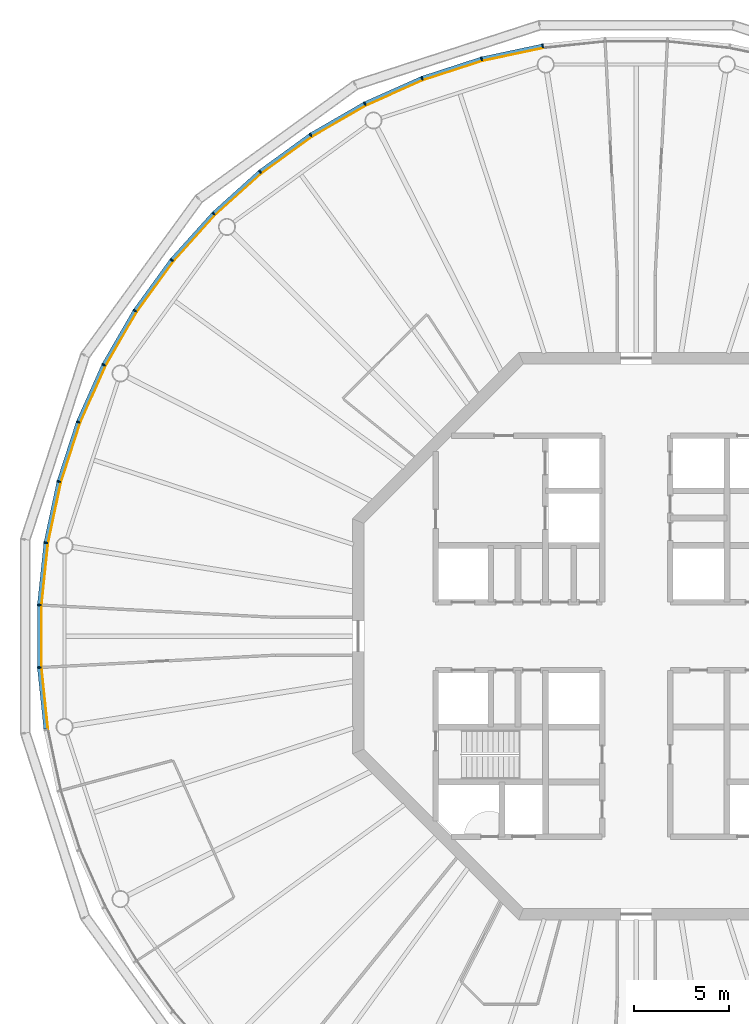
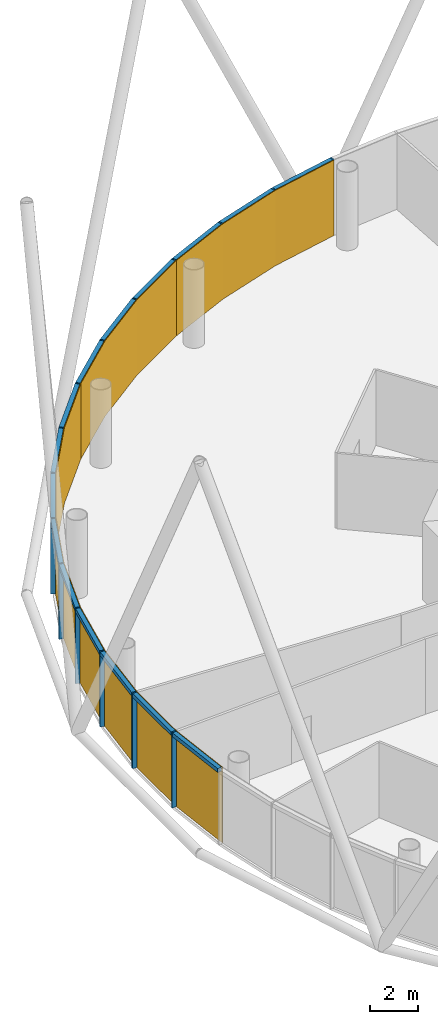
# One storey, part 10 of 13: 30 members, 5 curtain walls.
"""IFC4 building model written with IfcOpenShell, lengths in metres."""

from ifc_helpers import new_model, si_unit, direction, frame, origin, origin_2d, place, context, subcontext, project, spatial, polyline, rectangle, outline, extrude, material, layer, layer_set, material_profile, profile_set, type_object, element, aggregate, save


model = new_model("IFC4")

# Units and contexts
model_context = context("Model", 3, precision=1e-05, world=origin(), true_north=direction((0.0, 1.0)))
body_context = subcontext(model_context, "Body", "Model", "MODEL_VIEW")
ifc_project = project(units=[si_unit("LENGTHUNIT", "METRE"), si_unit("AREAUNIT", "SQUARE_METRE"), si_unit("VOLUMEUNIT", "CUBIC_METRE"), si_unit("PLANEANGLEUNIT", "RADIAN"), si_unit("MASSUNIT", "GRAM", prefix="KILO")], contexts=[model_context])

# Member
ifc_material_1 = material(Name="Anodised aluminium", Category="aluminium")
ifc_material_profile_1 = material_profile(ifc_material_1, rectangle(XDim=0.070068359375, YDim=0.205078125, at=origin_2d()), Name="Mullion 70 x 205 mm anodised aluminium")
ifc_profile_set_1 = profile_set([ifc_material_profile_1], Name="Anodised aluminium")
member_type_1 = type_object("IfcMemberType", Name="Mullion 70 x 205 mm anodised aluminium", PredefinedType="MULLION", material=ifc_profile_set_1)
site_placement = place(None, origin())
building_placement = place(site_placement, origin())
storey_placement = place(building_placement, frame((0.0, 0.0, 372.0)))
member_1_placement = place(storey_placement, frame((85.056396484375, 111.21337890625, 0.0), z_axis=(0.0, 0.0, 1.0), x_axis=(-0.987688340595, -0.15643446504, 0.0)))
member_1 = element("IfcMember", 1, at=member_1_placement, type_object=member_type_1, Name="MULLION L86-15", PredefinedType="MULLION", context=body_context, shape_type="SweptSolid", body=[
    extrude(rectangle(XDim=0.070068359375, YDim=0.205078125, at=origin_2d()), origin(), (0.0, 0.0, 1.0), 3.85009765625),
])

member_2_placement = place(storey_placement, frame((81.820556640625, 110.525634765625, 0.0), z_axis=(0.0, 0.0, 1.0), x_axis=(-0.965925826289, -0.258819045103, 0.0)))
member_2 = element("IfcMember", 2, at=member_2_placement, type_object=member_type_1, Name="MULLION L86-16", PredefinedType="MULLION", context=body_context, shape_type="SweptSolid", body=[
    extrude(rectangle(XDim=0.070068359375, YDim=0.205078125, at=origin_2d()), origin(), (0.0, 0.0, 1.0), 3.85009765625),
])

member_3_placement = place(storey_placement, frame((78.674560546875, 109.50341796875, 0.0), z_axis=(0.0, 0.0, 1.0), x_axis=(-0.933580426497, -0.358367949545, 0.0)))
member_3 = element("IfcMember", 3, at=member_3_placement, type_object=member_type_1, Name="MULLION L86-17", PredefinedType="MULLION", context=body_context, shape_type="SweptSolid", body=[
    extrude(rectangle(XDim=0.070068359375, YDim=0.205078125, at=origin_2d()), origin(), (0.0, 0.0, 1.0), 3.85009765625),
])

member_4_placement = place(storey_placement, frame((75.65283203125, 108.157958984375, 0.0), z_axis=(0.0, 0.0, 1.0), x_axis=(-0.891006524188, -0.45399049974, 0.0)))
member_4 = element("IfcMember", 4, at=member_4_placement, type_object=member_type_1, Name="MULLION L86-18", PredefinedType="MULLION", context=body_context, shape_type="SweptSolid", body=[
    extrude(rectangle(XDim=0.070068359375, YDim=0.205078125, at=origin_2d()), origin(), (0.0, 0.0, 1.0), 3.85009765625),
])

member_5_placement = place(storey_placement, frame((72.7880859375, 106.504150390625, 0.0), z_axis=(0.0, 0.0, 1.0), x_axis=(-0.838670567945, -0.544639035015, 0.0)))
member_5 = element("IfcMember", 5, at=member_5_placement, type_object=member_type_1, Name="MULLION L86-19", PredefinedType="MULLION", context=body_context, shape_type="SweptSolid", body=[
    extrude(rectangle(XDim=0.070068359375, YDim=0.205078125, at=origin_2d()), origin(), (0.0, 0.0, 1.0), 3.85009765625),
])

member_6_placement = place(storey_placement, frame((70.11181640625, 104.559814453125, 0.0), z_axis=(0.0, 0.0, 1.0), x_axis=(-0.777145961457, -0.62932039105, 0.0)))
member_6 = element("IfcMember", 6, at=member_6_placement, type_object=member_type_1, Name="MULLION L86-20", PredefinedType="MULLION", context=body_context, shape_type="SweptSolid", body=[
    extrude(rectangle(XDim=0.070068359375, YDim=0.205078125, at=origin_2d()), origin(), (0.0, 0.0, 1.0), 3.85009765625),
])

member_7_placement = place(storey_placement, frame((67.653564453125, 102.346435546875, 0.0), z_axis=(0.0, 0.0, 1.0), x_axis=(-0.707106781187, -0.707106781187, 0.0)))
member_7 = element("IfcMember", 7, at=member_7_placement, type_object=member_type_1, Name="MULLION L86-21", PredefinedType="MULLION", context=body_context, shape_type="SweptSolid", body=[
    extrude(rectangle(XDim=0.070068359375, YDim=0.205078125, at=origin_2d()), origin(), (0.0, 0.0, 1.0), 3.85009765625),
])

member_8_placement = place(storey_placement, frame((65.440185546875, 99.88818359375, 0.0), z_axis=(0.0, 0.0, 1.0), x_axis=(-0.62932039105, -0.777145961457, 0.0)))
member_8 = element("IfcMember", 8, at=member_8_placement, type_object=member_type_1, Name="MULLION L86-22", PredefinedType="MULLION", context=body_context, shape_type="SweptSolid", body=[
    extrude(rectangle(XDim=0.070068359375, YDim=0.205078125, at=origin_2d()), origin(), (0.0, 0.0, 1.0), 3.85009765625),
])

member_9_placement = place(storey_placement, frame((63.495849609375, 97.2119140625, 0.0), z_axis=(0.0, 0.0, 1.0), x_axis=(-0.544639035015, -0.838670567945, 0.0)))
member_9 = element("IfcMember", 9, at=member_9_placement, type_object=member_type_1, Name="MULLION L86-23", PredefinedType="MULLION", context=body_context, shape_type="SweptSolid", body=[
    extrude(rectangle(XDim=0.070068359375, YDim=0.205078125, at=origin_2d()), origin(), (0.0, 0.0, 1.0), 3.85009765625),
])

member_10_placement = place(storey_placement, frame((61.842041015625, 94.34716796875, 0.0), z_axis=(0.0, 0.0, 1.0), x_axis=(-0.45399049974, -0.891006524188, 0.0)))
member_10 = element("IfcMember", 10, at=member_10_placement, type_object=member_type_1, Name="MULLION L86-24", PredefinedType="MULLION", context=body_context, shape_type="SweptSolid", body=[
    extrude(rectangle(XDim=0.070068359375, YDim=0.205078125, at=origin_2d()), origin(), (0.0, 0.0, 1.0), 3.85009765625),
])

member_11_placement = place(storey_placement, frame((60.49658203125, 91.325439453125, 0.0), z_axis=(0.0, 0.0, 1.0), x_axis=(-0.358367949545, -0.933580426497, 0.0)))
member_11 = element("IfcMember", 11, at=member_11_placement, type_object=member_type_1, Name="MULLION L86-25", PredefinedType="MULLION", context=body_context, shape_type="SweptSolid", body=[
    extrude(rectangle(XDim=0.070068359375, YDim=0.205078125, at=origin_2d()), origin(), (0.0, 0.0, 1.0), 3.85009765625),
])

member_12_placement = place(storey_placement, frame((59.474365234375, 88.179443359375, 0.0), z_axis=(0.0, 0.0, 1.0), x_axis=(-0.258819045103, -0.965925826289, 0.0)))
member_12 = element("IfcMember", 12, at=member_12_placement, type_object=member_type_1, Name="MULLION L86-26", PredefinedType="MULLION", context=body_context, shape_type="SweptSolid", body=[
    extrude(rectangle(XDim=0.070068359375, YDim=0.205078125, at=origin_2d()), origin(), (0.0, 0.0, 1.0), 3.85009765625),
])

member_13_placement = place(storey_placement, frame((58.78662109375, 84.943603515625, 0.0), z_axis=(0.0, 0.0, 1.0), x_axis=(-0.15643446504, -0.987688340595, 0.0)))
member_13 = element("IfcMember", 13, at=member_13_placement, type_object=member_type_1, Name="MULLION L86-27", PredefinedType="MULLION", context=body_context, shape_type="SweptSolid", body=[
    extrude(rectangle(XDim=0.070068359375, YDim=0.205078125, at=origin_2d()), origin(), (0.0, 0.0, 1.0), 3.85009765625),
])

member_14_placement = place(storey_placement, frame((58.44091796875, 81.654052734375, 0.0), z_axis=(0.0, 0.0, 1.0), x_axis=(-0.052335956243, -0.998629534755, 0.0)))
member_14 = element("IfcMember", 14, at=member_14_placement, type_object=member_type_1, Name="MULLION L86-28", PredefinedType="MULLION", context=body_context, shape_type="SweptSolid", body=[
    extrude(rectangle(XDim=0.070068359375, YDim=0.205078125, at=origin_2d()), origin(), (0.0, 0.0, 1.0), 3.85009765625),
])

member_15_placement = place(storey_placement, frame((58.44091796875, 78.345947265625, 0.0), z_axis=(0.0, 0.0, 1.0), x_axis=(0.052335956243, -0.998629534755, 0.0)))
member_15 = element("IfcMember", 15, at=member_15_placement, type_object=member_type_1, Name="MULLION L86-29", PredefinedType="MULLION", context=body_context, shape_type="SweptSolid", body=[
    extrude(rectangle(XDim=0.070068359375, YDim=0.205078125, at=origin_2d()), origin(), (0.0, 0.0, 1.0), 3.85009765625),
])

ifc_material_2 = material(Name="Anodised aluminium", Category="aluminium")
ifc_material_profile_2 = material_profile(ifc_material_2, rectangle(XDim=0.205078125, YDim=0.195068359375, at=origin_2d()), Name="Transom 195 x 205 mm anodised aluminium")
ifc_profile_set_2 = profile_set([ifc_material_profile_2], Name="Anodised aluminium")
member_type_2 = type_object("IfcMemberType", Name="Transom 195 x 205 mm anodised aluminium", PredefinedType="USERDEFINED", material=ifc_profile_set_2)
member_16_placement = place(storey_placement, frame((85.016845703125, 111.205078125, 3.75244140625), z_axis=(-0.978153082647, -0.207885898771, 0.0), x_axis=(0.207885898771, -0.978153082647, 0.0)))
member_16 = element("IfcMember", 16, at=member_16_placement, type_object=member_type_2, Name="TRANSOM L86-15", ObjectType="TRANSOM", PredefinedType="USERDEFINED", context=body_context, shape_type="SweptSolid", body=[
    extrude(rectangle(XDim=0.205078125, YDim=0.195068359375, at=origin_2d()), origin(), (0.0, 0.0, 1.0), 3.227294921875),
])

member_17_placement = place(storey_placement, frame((81.7822265625, 110.513427734375, 3.75244140625), z_axis=(-0.951046855117, -0.309046726844, 0.0), x_axis=(0.309046726844, -0.951046855117, 0.0)))
member_17 = element("IfcMember", 17, at=member_17_placement, type_object=member_type_2, Name="TRANSOM L86-16", ObjectType="TRANSOM", PredefinedType="USERDEFINED", context=body_context, shape_type="SweptSolid", body=[
    extrude(rectangle(XDim=0.205078125, YDim=0.195068359375, at=origin_2d()), origin(), (0.0, 0.0, 1.0), 3.22705078125),
])

member_18_placement = place(storey_placement, frame((78.6376953125, 109.4873046875, 3.75244140625), z_axis=(-0.913521178731, -0.406791170024, 0.0), x_axis=(0.406791170024, -0.913521178731, 0.0)))
member_18 = element("IfcMember", 18, at=member_18_placement, type_object=member_type_2, Name="TRANSOM L86-17", ObjectType="TRANSOM", PredefinedType="USERDEFINED", context=body_context, shape_type="SweptSolid", body=[
    extrude(rectangle(XDim=0.205078125, YDim=0.195068359375, at=origin_2d()), origin(), (0.0, 0.0, 1.0), 3.22705078125),
])

member_19_placement = place(storey_placement, frame((75.61767578125, 108.137939453125, 3.75244140625), z_axis=(-0.866023062494, -0.500004055213, 0.0), x_axis=(0.500004055213, -0.866023062494, 0.0)))
member_19 = element("IfcMember", 19, at=member_19_placement, type_object=member_type_2, Name="TRANSOM L86-18", ObjectType="TRANSOM", PredefinedType="USERDEFINED", context=body_context, shape_type="SweptSolid", body=[
    extrude(rectangle(XDim=0.205078125, YDim=0.195068359375, at=origin_2d()), origin(), (0.0, 0.0, 1.0), 3.22705078125),
])

member_20_placement = place(storey_placement, frame((72.75537109375, 106.48046875, 3.75244140625), z_axis=(-0.809004252048, -0.587802790201, 0.0), x_axis=(0.587802790201, -0.809004252048, 0.0)))
member_20 = element("IfcMember", 20, at=member_20_placement, type_object=member_type_2, Name="TRANSOM L86-19", ObjectType="TRANSOM", PredefinedType="USERDEFINED", context=body_context, shape_type="SweptSolid", body=[
    extrude(rectangle(XDim=0.205078125, YDim=0.195068359375, at=origin_2d()), origin(), (0.0, 0.0, 1.0), 3.227294921875),
])

member_21_placement = place(storey_placement, frame((70.081787109375, 104.532958984375, 3.75244140625), z_axis=(-0.743132370743, -0.669144438484, 0.0), x_axis=(0.669144438484, -0.743132370743, 0.0)))
member_21 = element("IfcMember", 21, at=member_21_placement, type_object=member_type_2, Name="TRANSOM L86-20", ObjectType="TRANSOM", PredefinedType="USERDEFINED", context=body_context, shape_type="SweptSolid", body=[
    extrude(rectangle(XDim=0.205078125, YDim=0.195068359375, at=origin_2d()), origin(), (0.0, 0.0, 1.0), 3.22705078125),
])

member_22_placement = place(storey_placement, frame((67.62646484375, 102.31640625, 3.75244140625), z_axis=(-0.669144438484, -0.743132370743, 0.0), x_axis=(0.743132370743, -0.669144438484, 0.0)))
member_22 = element("IfcMember", 22, at=member_22_placement, type_object=member_type_2, Name="TRANSOM L86-21", ObjectType="TRANSOM", PredefinedType="USERDEFINED", context=body_context, shape_type="SweptSolid", body=[
    extrude(rectangle(XDim=0.205078125, YDim=0.195068359375, at=origin_2d()), origin(), (0.0, 0.0, 1.0), 3.22705078125),
])

member_23_placement = place(storey_placement, frame((65.41650390625, 99.85546875, 3.75244140625), z_axis=(-0.587802790201, -0.809004252048, 0.0), x_axis=(0.809004252048, -0.587802790201, 0.0)))
member_23 = element("IfcMember", 23, at=member_23_placement, type_object=member_type_2, Name="TRANSOM L86-22", ObjectType="TRANSOM", PredefinedType="USERDEFINED", context=body_context, shape_type="SweptSolid", body=[
    extrude(rectangle(XDim=0.205078125, YDim=0.195068359375, at=origin_2d()), origin(), (0.0, 0.0, 1.0), 3.227294921875),
])

member_24_placement = place(storey_placement, frame((63.4755859375, 97.177001953125, 3.75244140625), z_axis=(-0.500004055213, -0.866023062494, 0.0), x_axis=(0.866023062494, -0.500004055213, 0.0)))
member_24 = element("IfcMember", 24, at=member_24_placement, type_object=member_type_2, Name="TRANSOM L86-23", ObjectType="TRANSOM", PredefinedType="USERDEFINED", context=body_context, shape_type="SweptSolid", body=[
    extrude(rectangle(XDim=0.205078125, YDim=0.195068359375, at=origin_2d()), origin(), (0.0, 0.0, 1.0), 3.22705078125),
])

member_25_placement = place(storey_placement, frame((61.825439453125, 94.310302734375, 3.75244140625), z_axis=(-0.406791170024, -0.913521178731, 0.0), x_axis=(0.913521178731, -0.406791170024, 0.0)))
member_25 = element("IfcMember", 25, at=member_25_placement, type_object=member_type_2, Name="TRANSOM L86-24", ObjectType="TRANSOM", PredefinedType="USERDEFINED", context=body_context, shape_type="SweptSolid", body=[
    extrude(rectangle(XDim=0.205078125, YDim=0.195068359375, at=origin_2d()), origin(), (0.0, 0.0, 1.0), 3.22705078125),
])

member_26_placement = place(storey_placement, frame((60.48388671875, 91.286865234375, 3.75244140625), z_axis=(-0.309046726844, -0.951046855117, 0.0), x_axis=(0.951046855117, -0.309046726844, 0.0)))
member_26 = element("IfcMember", 26, at=member_26_placement, type_object=member_type_2, Name="TRANSOM L86-25", ObjectType="TRANSOM", PredefinedType="USERDEFINED", context=body_context, shape_type="SweptSolid", body=[
    extrude(rectangle(XDim=0.205078125, YDim=0.195068359375, at=origin_2d()), origin(), (0.0, 0.0, 1.0), 3.22705078125),
])

member_27_placement = place(storey_placement, frame((59.4658203125, 88.139892578125, 3.75244140625), z_axis=(-0.207885898771, -0.978153082647, 0.0), x_axis=(0.978153082647, -0.207885898771, 0.0)))
member_27 = element("IfcMember", 27, at=member_27_placement, type_object=member_type_2, Name="TRANSOM L86-26", ObjectType="TRANSOM", PredefinedType="USERDEFINED", context=body_context, shape_type="SweptSolid", body=[
    extrude(rectangle(XDim=0.205078125, YDim=0.195068359375, at=origin_2d()), origin(), (0.0, 0.0, 1.0), 3.227294921875),
])

member_28_placement = place(storey_placement, frame((58.7822265625, 84.903564453125, 3.75244140625), z_axis=(-0.104550890115, -0.994519537956, 0.0), x_axis=(0.994519537956, -0.104550890115, 0.0)))
member_28 = element("IfcMember", 28, at=member_28_placement, type_object=member_type_2, Name="TRANSOM L86-27", ObjectType="TRANSOM", PredefinedType="USERDEFINED", context=body_context, shape_type="SweptSolid", body=[
    extrude(rectangle(XDim=0.205078125, YDim=0.195068359375, at=origin_2d()), origin(), (0.0, 0.0, 1.0), 3.22705078125),
])

member_29_placement = place(storey_placement, frame((58.440673828125, 81.613525390625, 3.75244140625), z_axis=(0.0, -1.0, 0.0), x_axis=(1.0, 0.0, 0.0)))
member_29 = element("IfcMember", 29, at=member_29_placement, type_object=member_type_2, Name="TRANSOM L86-28", ObjectType="TRANSOM", PredefinedType="USERDEFINED", context=body_context, shape_type="SweptSolid", body=[
    extrude(rectangle(XDim=0.205078125, YDim=0.195068359375, at=origin_2d()), origin(), (0.0, 0.0, 1.0), 3.22705078125),
])

member_30_placement = place(storey_placement, frame((58.44482421875, 78.305908203125, 3.75244140625), z_axis=(0.104550890115, -0.994519537956, 0.0), x_axis=(0.994519537956, 0.104550890115, 0.0)))
member_30 = element("IfcMember", 30, at=member_30_placement, type_object=member_type_2, Name="TRANSOM L86-29", ObjectType="TRANSOM", PredefinedType="USERDEFINED", context=body_context, shape_type="SweptSolid", body=[
    extrude(rectangle(XDim=0.205078125, YDim=0.195068359375, at=origin_2d()), origin(), (0.0, 0.0, 1.0), 3.22705078125),
])

# Site, building, storey
site = spatial("IfcSite", under=ifc_project, at=site_placement, CompositionType="ELEMENT")
building = spatial("IfcBuilding", under=site, at=building_placement, Name="Entoto Ring Tower", CompositionType="ELEMENT")
storey = spatial("IfcBuildingStorey", under=building, at=storey_placement, Name="L86", CompositionType="ELEMENT", Elevation=372.0)

# Curtain wall
ifc_material_3 = material(Name="Clear low-iron glass", Category="glass")
ifc_layer = layer(ifc_material_3, 0.035888671875)
ifc_layer_set = layer_set([ifc_layer], Name="Clear low-iron glass")
curtain_wall_type = type_object("IfcCurtainWallType", Name="Curtain wall system CW6 glazing 36 mm", PredefinedType="NOTDEFINED", material=ifc_layer_set)
curtain_wall_1_placement = place(storey_placement, origin())
curtain_wall_1 = element("IfcCurtainWall", 31, at=curtain_wall_1_placement, inside=storey, type_object=curtain_wall_type, Name="CW6 L86-06", PredefinedType="NOTDEFINED", context=body_context, shape_type="SweptSolid", body=[
    extrude(outline(polyline([(85.072265625, 111.1123046875), (81.84716796875, 110.4267578125), (78.71142578125, 109.40771484375), (75.69921875, 108.066650390625), (75.715576171875, 108.03466796875), (78.724365234375, 109.3740234375), (81.8564453125, 110.391845703125), (85.077880859375, 111.07666015625), (85.072265625, 111.1123046875)])), origin(), (0.0, 0.0, 1.0), 3.85009765625),
])

aggregate(curtain_wall_1, [member_1, member_2, member_3, member_16, member_17, member_18])

curtain_wall_2_placement = place(storey_placement, origin())
curtain_wall_2 = element("IfcCurtainWall", 32, at=curtain_wall_2_placement, inside=storey, type_object=curtain_wall_type, Name="CW6 L86-07", PredefinedType="NOTDEFINED", context=body_context, shape_type="SweptSolid", body=[
    extrude(outline(polyline([(75.69921875, 108.066650390625), (72.84375, 106.418212890625), (70.176513671875, 104.47998046875), (67.72607421875, 102.27392578125), (67.751708984375, 102.248291015625), (70.198974609375, 104.4521484375), (72.863525390625, 106.387939453125), (75.715576171875, 108.03466796875), (75.69921875, 108.066650390625)])), origin(), (0.0, 0.0, 1.0), 3.85009765625),
])

aggregate(curtain_wall_2, [member_4, member_5, member_6, member_19, member_20, member_21])

curtain_wall_3_placement = place(storey_placement, origin())
curtain_wall_3 = element("IfcCurtainWall", 33, at=curtain_wall_3_placement, inside=storey, type_object=curtain_wall_type, Name="CW6 L86-08", PredefinedType="NOTDEFINED", context=body_context, shape_type="SweptSolid", body=[
    extrude(outline(polyline([(67.72607421875, 102.27392578125), (65.52001953125, 99.823486328125), (63.581787109375, 97.15625), (61.933349609375, 94.30078125), (61.96533203125, 94.284423828125), (63.612060546875, 97.136474609375), (65.5478515625, 99.801025390625), (67.751708984375, 102.248291015625), (67.72607421875, 102.27392578125)])), origin(), (0.0, 0.0, 1.0), 3.85009765625),
])

aggregate(curtain_wall_3, [member_7, member_8, member_9, member_22, member_23, member_24])

curtain_wall_4_placement = place(storey_placement, origin())
curtain_wall_4 = element("IfcCurtainWall", 34, at=curtain_wall_4_placement, inside=storey, type_object=curtain_wall_type, Name="CW6 L86-09", PredefinedType="NOTDEFINED", context=body_context, shape_type="SweptSolid", body=[
    extrude(outline(polyline([(61.933349609375, 94.30078125), (60.59228515625, 91.28857421875), (59.5732421875, 88.15283203125), (58.8876953125, 84.927734375), (58.92333984375, 84.922119140625), (59.608154296875, 88.1435546875), (60.6259765625, 91.275634765625), (61.96533203125, 94.284423828125), (61.933349609375, 94.30078125)])), origin(), (0.0, 0.0, 1.0), 3.85009765625),
])

aggregate(curtain_wall_4, [member_10, member_11, member_12, member_25, member_26, member_27])

curtain_wall_5_placement = place(storey_placement, origin())
curtain_wall_5 = element("IfcCurtainWall", 35, at=curtain_wall_5_placement, inside=storey, type_object=curtain_wall_type, Name="CW6 L86-10", PredefinedType="NOTDEFINED", context=body_context, shape_type="SweptSolid", body=[
    extrude(outline(polyline([(58.8876953125, 84.927734375), (58.543212890625, 81.648681640625), (58.543212890625, 78.351318359375), (58.8876953125, 75.072265625), (58.92333984375, 75.077880859375), (58.5791015625, 78.353271484375), (58.5791015625, 81.646728515625), (58.92333984375, 84.922119140625), (58.8876953125, 84.927734375)])), origin(), (0.0, 0.0, 1.0), 3.85009765625),
])

aggregate(curtain_wall_5, [member_13, member_14, member_15, member_28, member_29, member_30])

save(model, "model.ifc")
